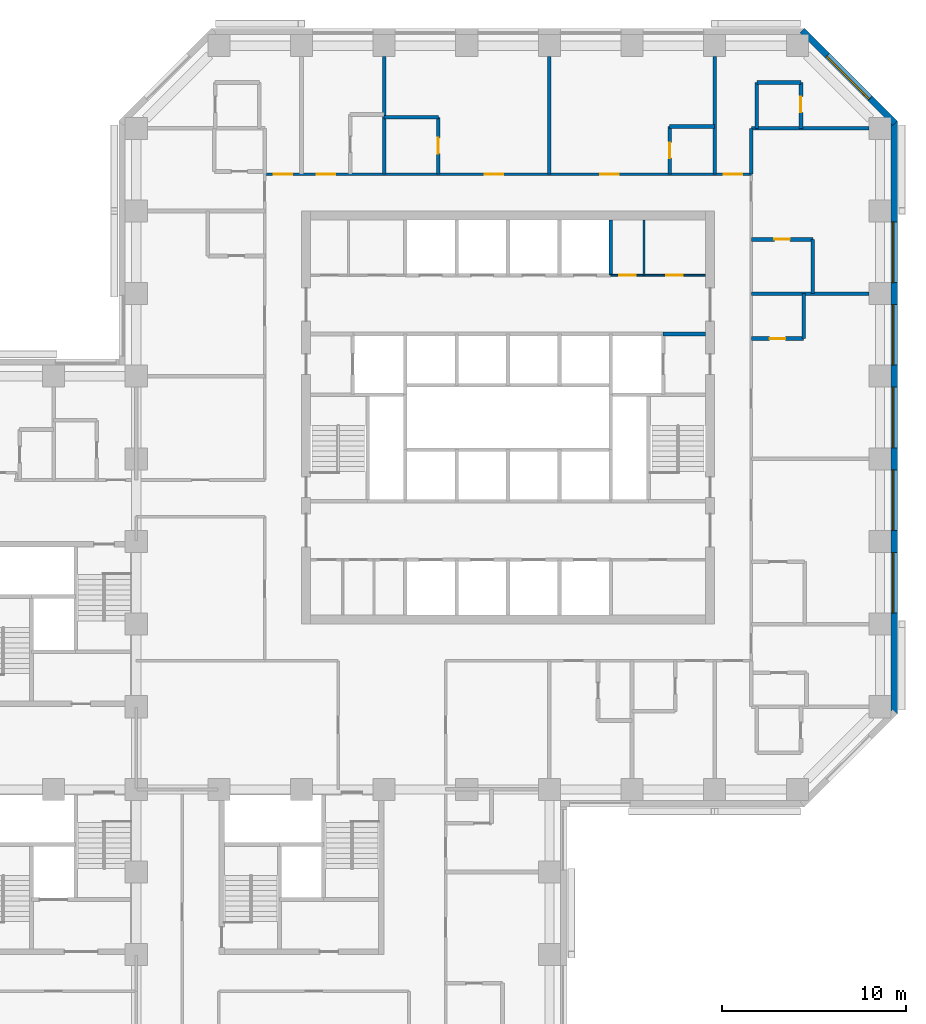
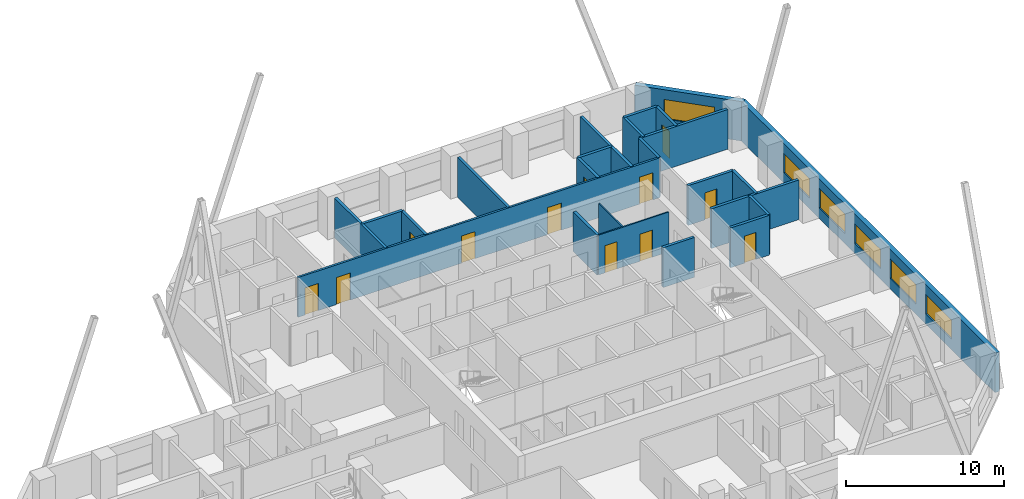
# One storey, part 10 of 13: 24 walls, 12 doors, 6 windows, 18 openings.
"""IFC4 building model written with IfcOpenShell, lengths in metres."""

from ifc_helpers import new_model, si_unit, direction, frame, frame_2d, origin, place, context, subcontext, project, spatial, rectangle, extrude, material, layer, layer_set, constituent, constituent_set, type_object, element, fill, save


model = new_model("IFC4")

# Units and contexts
model_context = context("Model", 3, precision=1e-05, world=origin(), true_north=direction((0.0, 1.0)))
body_context = subcontext(model_context, "Body", "Model", "MODEL_VIEW")
ifc_project = project(units=[si_unit("LENGTHUNIT", "METRE"), si_unit("AREAUNIT", "SQUARE_METRE"), si_unit("VOLUMEUNIT", "CUBIC_METRE"), si_unit("PLANEANGLEUNIT", "RADIAN"), si_unit("MASSUNIT", "GRAM", prefix="KILO")], contexts=[model_context])

# Site, building, storey
site_placement = place(None, origin())
site = spatial("IfcSite", under=ifc_project, at=site_placement, CompositionType="ELEMENT")
building_placement = place(site_placement, origin())
building = spatial("IfcBuilding", under=site, at=building_placement, Name="Quoin Convention Tower", CompositionType="ELEMENT")
storey_placement = place(building_placement, frame((0.0, 0.0, 39.60009765625)))
storey = spatial("IfcBuildingStorey", under=building, at=storey_placement, Name="L09", CompositionType="ELEMENT", Elevation=39.60009765625)

# Wall, openings, windows
ifc_material_1 = material(Name="Brick masonry", Category="masonry")
ifc_layer_1 = layer(ifc_material_1, 0.35009765625)
ifc_layer_set_1 = layer_set([ifc_layer_1], Name="Brick masonry")
wall_type_1 = type_object("IfcWallType", Name="Brick facade wall", PredefinedType="STANDARD", material=ifc_layer_set_1)
wall_1_placement = place(storey_placement, frame((77.27490234375, 44.6064453125, 0.0), z_axis=(0.0, 0.0, 1.0), x_axis=(0.0, 1.0, 0.0)))
wall_1 = element("IfcWall", 1, at=wall_1_placement, inside=storey, type_object=wall_type_1, Name="fw-L09-76500_45000", PredefinedType="STANDARD", context=body_context, shape_type="SweptSolid", body=[
    extrude(rectangle(XDim=32.287109375, YDim=0.35009765625, at=frame_2d((16.1435546875, 0.0))), origin(), (0.0, 0.0, 1.0), 3.054931640625),
])
opening_1_placement = place(wall_1_placement, frame((5.493408203125, 0.0, 0.800048828125)))
opening_1 = element("IfcOpeningElement", 2, at=opening_1_placement, cuts=wall_1, Name="Opening W-01", PredefinedType="OPENING", context=body_context, shape_type="SweptSolid", body=[
    extrude(rectangle(XDim=3.300048828125, YDim=1.5, at=frame_2d((1.64990234375, 0.75))), frame((0.0, 0.18505859375, 0.0), z_axis=(0.0, -1.0, 0.0), x_axis=(1.0, 0.0, 0.0)), (0.0, 0.0, 1.0), 0.3701171875),
])
opening_2_placement = place(wall_1_placement, frame((9.993408203125, 0.0, 0.800048828125)))
opening_2 = element("IfcOpeningElement", 3, at=opening_2_placement, cuts=wall_1, Name="Opening W-01", PredefinedType="OPENING", context=body_context, shape_type="SweptSolid", body=[
    extrude(rectangle(XDim=3.300048828125, YDim=1.5, at=frame_2d((1.64990234375, 0.75))), frame((0.0, 0.18505859375, 0.0), z_axis=(0.0, -1.0, 0.0), x_axis=(1.0, 0.0, 0.0)), (0.0, 0.0, 1.0), 0.3701171875),
])
opening_3_placement = place(wall_1_placement, frame((14.493408203125, 0.0, 0.800048828125)))
opening_3 = element("IfcOpeningElement", 4, at=opening_3_placement, cuts=wall_1, Name="Opening W-01", PredefinedType="OPENING", context=body_context, shape_type="SweptSolid", body=[
    extrude(rectangle(XDim=3.300048828125, YDim=1.5, at=frame_2d((1.64990234375, 0.75))), frame((0.0, 0.18505859375, 0.0), z_axis=(0.0, -1.0, 0.0), x_axis=(1.0, 0.0, 0.0)), (0.0, 0.0, 1.0), 0.3701171875),
])
opening_4_placement = place(wall_1_placement, frame((18.993408203125, 0.0, 0.800048828125)))
opening_4 = element("IfcOpeningElement", 5, at=opening_4_placement, cuts=wall_1, Name="Opening W-01", PredefinedType="OPENING", context=body_context, shape_type="SweptSolid", body=[
    extrude(rectangle(XDim=3.300048828125, YDim=1.5, at=frame_2d((1.64990234375, 0.75))), frame((0.0, 0.18505859375, 0.0), z_axis=(0.0, -1.0, 0.0), x_axis=(1.0, 0.0, 0.0)), (0.0, 0.0, 1.0), 0.3701171875),
])
opening_5_placement = place(wall_1_placement, frame((23.493408203125, 0.0, 0.800048828125)))
opening_5 = element("IfcOpeningElement", 6, at=opening_5_placement, cuts=wall_1, Name="Opening W-01", PredefinedType="OPENING", context=body_context, shape_type="SweptSolid", body=[
    extrude(rectangle(XDim=3.300048828125, YDim=1.5, at=frame_2d((1.64990234375, 0.75))), frame((0.0, 0.18505859375, 0.0), z_axis=(0.0, -1.0, 0.0), x_axis=(1.0, 0.0, 0.0)), (0.0, 0.0, 1.0), 0.3701171875),
])
ifc_material_2 = material(Name="Aluminium", Category="aluminium")
ifc_constituent_1 = constituent(ifc_material_2, Name="Frame")
ifc_material_3 = material(Name="Insulated glass", Category="glass")
ifc_constituent_2 = constituent(ifc_material_3, Name="Glazing")
ifc_constituent_set = constituent_set(constituents=[ifc_constituent_1, ifc_constituent_2], Name="Aluminium")
window_type = type_object("IfcWindowType", Name="Hotel strip window", PartitioningType="DOUBLE_PANEL_VERTICAL", PredefinedType="WINDOW", material=ifc_constituent_set)
window_1_placement = place(opening_1_placement, origin())
window_1 = element("IfcWindow", 7, at=window_1_placement, inside=storey, type_object=window_type, Name="win-L09-77275_51750", OverallHeight=1.5, OverallWidth=3.300048828125, PartitioningType="SINGLE_PANEL", PredefinedType="WINDOW", context=body_context, shape_type="SweptSolid", body=[
    extrude(rectangle(XDim=3.300048828125, YDim=1.5, at=frame_2d((1.64990234375, 0.75))), frame((0.0, 0.0849609375, 0.0), z_axis=(0.0, -1.0, 0.0), x_axis=(1.0, 0.0, 0.0)), (0.0, 0.0, 1.0), 0.06005859375),
])
fill(opening_1, window_1)
window_2_placement = place(opening_2_placement, origin())
window_2 = element("IfcWindow", 8, at=window_2_placement, inside=storey, type_object=window_type, Name="win-L09-77275_56250", OverallHeight=1.5, OverallWidth=3.300048828125, PartitioningType="SINGLE_PANEL", PredefinedType="WINDOW", context=body_context, shape_type="SweptSolid", body=[
    extrude(rectangle(XDim=3.300048828125, YDim=1.5, at=frame_2d((1.64990234375, 0.75))), frame((0.0, 0.0849609375, 0.0), z_axis=(0.0, -1.0, 0.0), x_axis=(1.0, 0.0, 0.0)), (0.0, 0.0, 1.0), 0.06005859375),
])
fill(opening_2, window_2)
window_3_placement = place(opening_3_placement, origin())
window_3 = element("IfcWindow", 9, at=window_3_placement, inside=storey, type_object=window_type, Name="win-L09-77275_60750", OverallHeight=1.5, OverallWidth=3.300048828125, PartitioningType="SINGLE_PANEL", PredefinedType="WINDOW", context=body_context, shape_type="SweptSolid", body=[
    extrude(rectangle(XDim=3.300048828125, YDim=1.5, at=frame_2d((1.64990234375, 0.75))), frame((0.0, 0.0849609375, 0.0), z_axis=(0.0, -1.0, 0.0), x_axis=(1.0, 0.0, 0.0)), (0.0, 0.0, 1.0), 0.06005859375),
])
fill(opening_3, window_3)
window_4_placement = place(opening_4_placement, origin())
window_4 = element("IfcWindow", 10, at=window_4_placement, inside=storey, type_object=window_type, Name="win-L09-77275_65250", OverallHeight=1.5, OverallWidth=3.300048828125, PartitioningType="SINGLE_PANEL", PredefinedType="WINDOW", context=body_context, shape_type="SweptSolid", body=[
    extrude(rectangle(XDim=3.300048828125, YDim=1.5, at=frame_2d((1.64990234375, 0.75))), frame((0.0, 0.0849609375, 0.0), z_axis=(0.0, -1.0, 0.0), x_axis=(1.0, 0.0, 0.0)), (0.0, 0.0, 1.0), 0.06005859375),
])
fill(opening_4, window_4)
window_5_placement = place(opening_5_placement, origin())
window_5 = element("IfcWindow", 11, at=window_5_placement, inside=storey, type_object=window_type, Name="win-L09-77275_69750", OverallHeight=1.5, OverallWidth=3.300048828125, PartitioningType="SINGLE_PANEL", PredefinedType="WINDOW", context=body_context, shape_type="SweptSolid", body=[
    extrude(rectangle(XDim=3.300048828125, YDim=1.5, at=frame_2d((1.64990234375, 0.75))), frame((0.0, 0.0849609375, 0.0), z_axis=(0.0, -1.0, 0.0), x_axis=(1.0, 0.0, 0.0)), (0.0, 0.0, 1.0), 0.06005859375),
])
fill(opening_5, window_5)

# Wall, opening, window
wall_2_placement = place(storey_placement, frame((77.326416015625, 76.769775390625, 0.0), z_axis=(0.0, 0.0, 1.0), x_axis=(-0.707106781187, 0.707106781187, 0.0)))
wall_2 = element("IfcWall", 12, at=wall_2_placement, inside=storey, type_object=wall_type_1, Name="fw-L09-76500_76500", PredefinedType="STANDARD", context=body_context, shape_type="SweptSolid", body=[
    extrude(rectangle(XDim=7.151123046875, YDim=0.35009765625, at=frame_2d((3.57568359375, 0.0))), origin(), (0.0, 0.0, 1.0), 3.054931640625),
])
opening_6_placement = place(wall_2_placement, frame((1.925537109375, 0.0, 0.800048828125)))
opening_6 = element("IfcOpeningElement", 13, at=opening_6_placement, cuts=wall_2, Name="Opening W-01", PredefinedType="OPENING", context=body_context, shape_type="SweptSolid", body=[
    extrude(rectangle(XDim=3.300048828125, YDim=1.5, at=frame_2d((1.64990234375, 0.75))), frame((0.0, 0.18505859375, 0.0), z_axis=(0.0, -1.0, 0.0), x_axis=(1.0, 0.0, 0.0)), (0.0, 0.0, 1.0), 0.3701171875),
])
window_6_placement = place(opening_6_placement, origin())
window_6 = element("IfcWindow", 14, at=window_6_placement, inside=storey, type_object=window_type, Name="win-L09-74798_79298", OverallHeight=1.5, OverallWidth=3.300048828125, PartitioningType="SINGLE_PANEL", PredefinedType="WINDOW", context=body_context, shape_type="SweptSolid", body=[
    extrude(rectangle(XDim=3.300048828125, YDim=1.5, at=frame_2d((1.64990234375, 0.75))), frame((0.0, 0.0849609375, 0.0), z_axis=(0.0, -1.0, 0.0), x_axis=(1.0, 0.0, 0.0)), (0.0, 0.0, 1.0), 0.06005859375),
])
fill(opening_6, window_6)

# Wall, openings, doors
ifc_material_4 = material(Name="Plasterboard")
ifc_layer_2 = layer(ifc_material_4, 0.012451171875, Name="Finish")
ifc_material_5 = material(Name="Steel stud framing", Category="steel")
ifc_layer_3 = layer(ifc_material_5, 0.074951171875, Name="Structure")
ifc_layer_4 = layer(ifc_material_4, 0.012451171875, Name="Finish")
ifc_layer_set_2 = layer_set([ifc_layer_2, ifc_layer_3, ifc_layer_4], Name="Steel stud framing")
wall_type_2 = type_object("IfcWallType", Name="Core partition wall", PredefinedType="PARTITIONING", material=ifc_layer_set_2)
wall_3_placement = place(storey_placement, frame((61.85009765625, 68.5, 0.0), z_axis=(0.0, 0.0, 1.0), x_axis=(1.0, 0.0, 0.0)))
wall_3 = element("IfcWall", 15, at=wall_3_placement, inside=storey, type_object=wall_type_2, Name="cr-C1-L09-h19000_16850", PredefinedType="PARTITIONING", context=body_context, shape_type="SweptSolid", body=[
    extrude(rectangle(XDim=5.14990234375, YDim=0.10009765625, at=frame_2d((2.574951171875, 0.0))), origin(), (0.0, 0.0, 1.0), 3.079833984375),
])
opening_7_placement = place(wall_3_placement, frame((3.0263671875, 0.0, 0.0)))
opening_7 = element("IfcOpeningElement", 16, at=opening_7_placement, cuts=wall_3, Name="Opening DCV3-03", PredefinedType="OPENING", context=body_context, shape_type="SweptSolid", body=[
    extrude(rectangle(XDim=0.89990234375, YDim=2.10009765625, at=frame_2d((0.449951171875, 1.050048828125))), frame((0.0, 0.06005859375, 0.0), z_axis=(0.0, -1.0, 0.0), x_axis=(1.0, 0.0, 0.0)), (0.0, 0.0, 1.0), 0.1201171875),
])
opening_8_placement = place(wall_3_placement, frame((0.451171875, 0.0, 0.0)))
opening_8 = element("IfcOpeningElement", 17, at=opening_8_placement, cuts=wall_3, Name="Opening DCV3-01", PredefinedType="OPENING", context=body_context, shape_type="SweptSolid", body=[
    extrude(rectangle(XDim=0.89990234375, YDim=2.10009765625, at=frame_2d((0.449951171875, 1.050048828125))), frame((0.0, 0.06005859375, 0.0), z_axis=(0.0, -1.0, 0.0), x_axis=(1.0, 0.0, 0.0)), (0.0, 0.0, 1.0), 0.1201171875),
])
ifc_material_6 = material(Name="Steel door leaf", Category="steel")
door_type_1 = type_object("IfcDoorType", Name="Core room door 900 x 2100", OperationType="SINGLE_SWING_LEFT", PredefinedType="DOOR", material=ifc_material_6)
door_1_placement = place(opening_7_placement, origin())
door_1 = element("IfcDoor", 18, at=door_1_placement, inside=storey, type_object=door_type_1, Name="cd-C1-L09-CNE0-lobB-CD0907", OperationType="SINGLE_SWING_RIGHT", OverallHeight=2.10009765625, OverallWidth=0.89990234375, PredefinedType="DOOR", context=body_context, shape_type="SweptSolid", body=[
    extrude(rectangle(XDim=0.89990234375, YDim=2.10009765625, at=frame_2d((0.449951171875, 1.050048828125))), frame((0.0, 0.02490234375, 0.0), z_axis=(0.0, -1.0, 0.0), x_axis=(1.0, 0.0, 0.0)), (0.0, 0.0, 1.0), 0.050048828125),
])
fill(opening_7, door_1)
door_2_placement = place(opening_8_placement, origin())
door_2 = element("IfcDoor", 19, at=door_2_placement, inside=storey, type_object=door_type_1, Name="cd-C1-L09-CNE1-lobB-CD0908", OperationType="SINGLE_SWING_LEFT", OverallHeight=2.10009765625, OverallWidth=0.89990234375, PredefinedType="DOOR", context=body_context, shape_type="SweptSolid", body=[
    extrude(rectangle(XDim=0.89990234375, YDim=2.10009765625, at=frame_2d((0.449951171875, 1.050048828125))), frame((0.0, 0.02490234375, 0.0), z_axis=(0.0, -1.0, 0.0), x_axis=(1.0, 0.0, 0.0)), (0.0, 0.0, 1.0), 0.050048828125),
])
fill(opening_8, door_2)

# Walls
wall_4_placement = place(storey_placement, frame((63.652587890625, 68.5, 0.0), z_axis=(0.0, 0.0, 1.0), x_axis=(0.0, 1.0, 0.0)))
element("IfcWall", 20, at=wall_4_placement, inside=storey, type_object=wall_type_2, Name="cr-C1-L09-v18652_19000", PredefinedType="PARTITIONING", context=body_context, shape_type="SweptSolid", body=[
    extrude(rectangle(XDim=3.0, YDim=0.10009765625, at=frame_2d((1.5, 0.0))), origin(), (0.0, 0.0, 1.0), 3.079833984375),
])
ifc_material_7 = material(Name="Concrete C50", Category="concrete")
ifc_layer_5 = layer(ifc_material_7, 0.199951171875)
ifc_layer_set_3 = layer_set([ifc_layer_5], Name="Concrete C50")
wall_type_3 = type_object("IfcWallType", Name="Core shaft wall", PredefinedType="SOLIDWALL", material=ifc_layer_set_3)
wall_5_placement = place(storey_placement, frame((64.699951171875, 65.300048828125, 0.0), z_axis=(0.0, 0.0, 1.0), x_axis=(1.0, 0.0, 0.0)))
element("IfcWall", 21, at=wall_5_placement, inside=storey, type_object=wall_type_3, Name="cr-C1-L09-h15800_19700", PredefinedType="SOLIDWALL", context=body_context, shape_type="SweptSolid", body=[
    extrude(rectangle(XDim=2.300048828125, YDim=0.199951171875, at=frame_2d((1.14990234375, 0.0))), origin(), (0.0, 0.0, 1.0), 3.079833984375),
])
wall_6_placement = place(storey_placement, frame((61.85009765625, 68.5, 0.0), z_axis=(0.0, 0.0, 1.0), x_axis=(0.0, 1.0, 0.0)))
element("IfcWall", 22, at=wall_6_placement, inside=storey, type_object=wall_type_3, Name="cr-C1-L09-v16850_19000", PredefinedType="SOLIDWALL", context=body_context, shape_type="SweptSolid", body=[
    extrude(rectangle(XDim=3.0, YDim=0.199951171875, at=frame_2d((1.5, 0.0))), origin(), (0.0, 0.0, 1.0), 3.079833984375),
])

# Wall, opening, door
ifc_layer_6 = layer(ifc_material_7, 0.199951171875)
ifc_layer_set_4 = layer_set([ifc_layer_6], Name="Concrete C50")
wall_type_4 = type_object("IfcWallType", Name="RC party wall", PredefinedType="SOLIDWALL", material=ifc_layer_set_4)
wall_7_placement = place(storey_placement, frame((69.5, 65.050048828125, 0.0), z_axis=(0.0, 0.0, 1.0), x_axis=(1.0, 0.0, 0.0)))
wall_7 = element("IfcWall", 23, at=wall_7_placement, inside=storey, type_object=wall_type_4, Name="pw-L09-109", PredefinedType="SOLIDWALL", context=body_context, shape_type="SweptSolid", body=[
    extrude(rectangle(XDim=2.85009765625, YDim=0.199951171875, at=frame_2d((1.425048828125, 0.0))), origin(), (0.0, 0.0, 1.0), 3.079833984375),
])
opening_9_placement = place(wall_7_placement, frame((1.0, 0.0, 0.0)))
opening_9 = element("IfcOpeningElement", 24, at=opening_9_placement, cuts=wall_7, Name="Opening DHOTEL-E-54", PredefinedType="OPENING", context=body_context, shape_type="SweptSolid", body=[
    extrude(rectangle(XDim=0.85009765625, YDim=2.10009765625, at=frame_2d((0.425048828125, 1.050048828125))), frame((0.0, 0.10986328125, 0.0), z_axis=(0.0, -1.0, 0.0), x_axis=(1.0, 0.0, 0.0)), (0.0, 0.0, 1.0), 0.219970703125),
])
door_type_2 = type_object("IfcDoorType", Name="Bathroom door", OperationType="SINGLE_SWING_LEFT", PredefinedType="DOOR", material=ifc_material_6)
door_3_placement = place(opening_9_placement, frame((0.85009765625, 0.0, 0.0), z_axis=(0.0, 0.0, 1.0), x_axis=(-1.0, 0.0, 0.0)))
door_3 = element("IfcDoor", 25, at=door_3_placement, inside=storey, type_object=door_type_2, Name="dr-L09-040", OperationType="SINGLE_SWING_RIGHT", OverallHeight=2.10009765625, OverallWidth=0.85009765625, PredefinedType="DOOR", context=body_context, shape_type="SweptSolid", body=[
    extrude(rectangle(XDim=0.85009765625, YDim=2.10009765625, at=frame_2d((0.425048828125, 1.050048828125))), frame((0.0, 0.02490234375, 0.0), z_axis=(0.0, -1.0, 0.0), x_axis=(1.0, 0.0, 0.0)), (0.0, 0.0, 1.0), 0.050048828125),
])
fill(opening_9, door_3)

# Walls
wall_8_placement = place(storey_placement, frame((72.35009765625, 65.050048828125, 0.0), z_axis=(0.0, 0.0, 1.0), x_axis=(0.0, 1.0, 0.0)))
element("IfcWall", 26, at=wall_8_placement, inside=storey, type_object=wall_type_4, Name="pw-L09-110", PredefinedType="SOLIDWALL", context=body_context, shape_type="SweptSolid", body=[
    extrude(rectangle(XDim=2.449951171875, YDim=0.199951171875, at=frame_2d((1.22509765625, 0.0))), origin(), (0.0, 0.0, 1.0), 3.079833984375),
])
wall_9_placement = place(storey_placement, frame((69.5, 67.5, 0.0), z_axis=(0.0, 0.0, 1.0), x_axis=(1.0, 0.0, 0.0)))
element("IfcWall", 27, at=wall_9_placement, inside=storey, type_object=wall_type_4, Name="pw-L09-111", PredefinedType="SOLIDWALL", context=body_context, shape_type="SweptSolid", body=[
    extrude(rectangle(XDim=6.39990234375, YDim=0.199951171875, at=frame_2d((3.199951171875, 0.0))), origin(), (0.0, 0.0, 1.0), 3.079833984375),
])
wall_10_placement = place(storey_placement, frame((72.85009765625, 67.5, 0.0), z_axis=(0.0, 0.0, 1.0), x_axis=(0.0, 1.0, 0.0)))
element("IfcWall", 28, at=wall_10_placement, inside=storey, type_object=wall_type_4, Name="pw-L09-112", PredefinedType="SOLIDWALL", context=body_context, shape_type="SweptSolid", body=[
    extrude(rectangle(XDim=2.949951171875, YDim=0.199951171875, at=frame_2d((1.47509765625, 0.0))), origin(), (0.0, 0.0, 1.0), 3.079833984375),
])

# Wall, opening, door
wall_11_placement = place(storey_placement, frame((69.5, 70.449951171875, 0.0), z_axis=(0.0, 0.0, 1.0), x_axis=(1.0, 0.0, 0.0)))
wall_11 = element("IfcWall", 29, at=wall_11_placement, inside=storey, type_object=wall_type_4, Name="pw-L09-115", PredefinedType="SOLIDWALL", context=body_context, shape_type="SweptSolid", body=[
    extrude(rectangle(XDim=3.35009765625, YDim=0.199951171875, at=frame_2d((1.675048828125, 0.0))), origin(), (0.0, 0.0, 1.0), 3.079833984375),
])
opening_10_placement = place(wall_11_placement, frame((1.25, 0.0, 0.0)))
opening_10 = element("IfcOpeningElement", 30, at=opening_10_placement, cuts=wall_11, Name="Opening DHOTEL-E-56", PredefinedType="OPENING", context=body_context, shape_type="SweptSolid", body=[
    extrude(rectangle(XDim=0.85009765625, YDim=2.10009765625, at=frame_2d((0.425048828125, 1.050048828125))), frame((0.0, 0.10986328125, 0.0), z_axis=(0.0, -1.0, 0.0), x_axis=(1.0, 0.0, 0.0)), (0.0, 0.0, 1.0), 0.219970703125),
])
door_4_placement = place(opening_10_placement, origin())
door_4 = element("IfcDoor", 31, at=door_4_placement, inside=storey, type_object=door_type_2, Name="dr-L09-038", OperationType="SINGLE_SWING_LEFT", OverallHeight=2.10009765625, OverallWidth=0.85009765625, PredefinedType="DOOR", context=body_context, shape_type="SweptSolid", body=[
    extrude(rectangle(XDim=0.85009765625, YDim=2.10009765625, at=frame_2d((0.425048828125, 1.050048828125))), frame((0.0, 0.02490234375, 0.0), z_axis=(0.0, -1.0, 0.0), x_axis=(1.0, 0.0, 0.0)), (0.0, 0.0, 1.0), 0.050048828125),
])
fill(opening_10, door_4)

# Wall
wall_12_placement = place(storey_placement, frame((49.5, 74.0, 0.0), z_axis=(0.0, 0.0, 1.0), x_axis=(0.0, 1.0, 0.0)))
element("IfcWall", 32, at=wall_12_placement, inside=storey, type_object=wall_type_4, Name="pw-L09-120", PredefinedType="SOLIDWALL", context=body_context, shape_type="SweptSolid", body=[
    extrude(rectangle(XDim=6.39990234375, YDim=0.199951171875, at=frame_2d((3.199951171875, 0.0))), origin(), (0.0, 0.0, 1.0), 3.079833984375),
])

# Wall, opening, door
wall_13_placement = place(storey_placement, frame((52.449951171875, 74.0, 0.0), z_axis=(0.0, 0.0, 1.0), x_axis=(0.0, 1.0, 0.0)))
wall_13 = element("IfcWall", 33, at=wall_13_placement, inside=storey, type_object=wall_type_4, Name="pw-L09-121", PredefinedType="SOLIDWALL", context=body_context, shape_type="SweptSolid", body=[
    extrude(rectangle(XDim=3.10009765625, YDim=0.199951171875, at=frame_2d((1.550048828125, 0.0))), origin(), (0.0, 0.0, 1.0), 3.079833984375),
])
opening_11_placement = place(wall_13_placement, frame((1.125, 0.0, 0.0)))
opening_11 = element("IfcOpeningElement", 34, at=opening_11_placement, cuts=wall_13, Name="Opening DHOTEL-E-58", PredefinedType="OPENING", context=body_context, shape_type="SweptSolid", body=[
    extrude(rectangle(XDim=0.85009765625, YDim=2.10009765625, at=frame_2d((0.425048828125, 1.050048828125))), frame((0.0, 0.10986328125, 0.0), z_axis=(0.0, -1.0, 0.0), x_axis=(1.0, 0.0, 0.0)), (0.0, 0.0, 1.0), 0.219970703125),
])
door_5_placement = place(opening_11_placement, frame((0.85009765625, 0.0, 0.0), z_axis=(0.0, 0.0, 1.0), x_axis=(-1.0, 0.0, 0.0)))
door_5 = element("IfcDoor", 35, at=door_5_placement, inside=storey, type_object=door_type_2, Name="dr-L09-034", OperationType="SINGLE_SWING_RIGHT", OverallHeight=2.10009765625, OverallWidth=0.85009765625, PredefinedType="DOOR", context=body_context, shape_type="SweptSolid", body=[
    extrude(rectangle(XDim=0.85009765625, YDim=2.10009765625, at=frame_2d((0.425048828125, 1.050048828125))), frame((0.0, 0.02490234375, 0.0), z_axis=(0.0, -1.0, 0.0), x_axis=(1.0, 0.0, 0.0)), (0.0, 0.0, 1.0), 0.050048828125),
])
fill(opening_11, door_5)

# Wall
wall_14_placement = place(storey_placement, frame((58.5, 74.0, 0.0), z_axis=(0.0, 0.0, 1.0), x_axis=(0.0, 1.0, 0.0)))
element("IfcWall", 36, at=wall_14_placement, inside=storey, type_object=wall_type_4, Name="pw-L09-122", PredefinedType="SOLIDWALL", context=body_context, shape_type="SweptSolid", body=[
    extrude(rectangle(XDim=6.39990234375, YDim=0.199951171875, at=frame_2d((3.199951171875, 0.0))), origin(), (0.0, 0.0, 1.0), 3.079833984375),
])

# Wall, opening, door
wall_15_placement = place(storey_placement, frame((65.050048828125, 74.0, 0.0), z_axis=(0.0, 0.0, 1.0), x_axis=(0.0, 1.0, 0.0)))
wall_15 = element("IfcWall", 37, at=wall_15_placement, inside=storey, type_object=wall_type_4, Name="pw-L09-123", PredefinedType="SOLIDWALL", context=body_context, shape_type="SweptSolid", body=[
    extrude(rectangle(XDim=2.60009765625, YDim=0.199951171875, at=frame_2d((1.300048828125, 0.0))), origin(), (0.0, 0.0, 1.0), 3.079833984375),
])
opening_12_placement = place(wall_15_placement, frame((0.875, 0.0, 0.0)))
opening_12 = element("IfcOpeningElement", 38, at=opening_12_placement, cuts=wall_15, Name="Opening DHOTEL-E-59", PredefinedType="OPENING", context=body_context, shape_type="SweptSolid", body=[
    extrude(rectangle(XDim=0.85009765625, YDim=2.10009765625, at=frame_2d((0.425048828125, 1.050048828125))), frame((0.0, 0.10986328125, 0.0), z_axis=(0.0, -1.0, 0.0), x_axis=(1.0, 0.0, 0.0)), (0.0, 0.0, 1.0), 0.219970703125),
])
door_6_placement = place(opening_12_placement, origin())
door_6 = element("IfcDoor", 39, at=door_6_placement, inside=storey, type_object=door_type_2, Name="dr-L09-036", OperationType="SINGLE_SWING_LEFT", OverallHeight=2.10009765625, OverallWidth=0.85009765625, PredefinedType="DOOR", context=body_context, shape_type="SweptSolid", body=[
    extrude(rectangle(XDim=0.85009765625, YDim=2.10009765625, at=frame_2d((0.425048828125, 1.050048828125))), frame((0.0, 0.02490234375, 0.0), z_axis=(0.0, -1.0, 0.0), x_axis=(1.0, 0.0, 0.0)), (0.0, 0.0, 1.0), 0.050048828125),
])
fill(opening_12, door_6)

# Walls
wall_16_placement = place(storey_placement, frame((67.5, 74.0, 0.0), z_axis=(0.0, 0.0, 1.0), x_axis=(0.0, 1.0, 0.0)))
element("IfcWall", 40, at=wall_16_placement, inside=storey, type_object=wall_type_4, Name="pw-L09-124", PredefinedType="SOLIDWALL", context=body_context, shape_type="SweptSolid", body=[
    extrude(rectangle(XDim=6.39990234375, YDim=0.199951171875, at=frame_2d((3.199951171875, 0.0))), origin(), (0.0, 0.0, 1.0), 3.079833984375),
])
wall_17_placement = place(storey_placement, frame((69.5, 74.0, 0.0), z_axis=(0.0, 0.0, 1.0), x_axis=(0.0, 1.0, 0.0)))
element("IfcWall", 41, at=wall_17_placement, inside=storey, type_object=wall_type_4, Name="pw-L09-125", PredefinedType="SOLIDWALL", context=body_context, shape_type="SweptSolid", body=[
    extrude(rectangle(XDim=2.5, YDim=0.199951171875, at=frame_2d((1.25, 0.0))), origin(), (0.0, 0.0, 1.0), 3.079833984375),
])
wall_18_placement = place(storey_placement, frame((69.5, 76.5, 0.0), z_axis=(0.0, 0.0, 1.0), x_axis=(1.0, 0.0, 0.0)))
element("IfcWall", 42, at=wall_18_placement, inside=storey, type_object=wall_type_4, Name="pw-L09-131", PredefinedType="SOLIDWALL", context=body_context, shape_type="SweptSolid", body=[
    extrude(rectangle(XDim=6.39990234375, YDim=0.199951171875, at=frame_2d((3.199951171875, 0.0))), origin(), (0.0, 0.0, 1.0), 3.079833984375),
])
wall_19_placement = place(storey_placement, frame((69.800048828125, 76.5, 0.0), z_axis=(0.0, 0.0, 1.0), x_axis=(0.0, 1.0, 0.0)))
element("IfcWall", 43, at=wall_19_placement, inside=storey, type_object=wall_type_4, Name="pw-L09-132", PredefinedType="SOLIDWALL", context=body_context, shape_type="SweptSolid", body=[
    extrude(rectangle(XDim=2.5, YDim=0.199951171875, at=frame_2d((1.25, 0.0))), origin(), (0.0, 0.0, 1.0), 3.079833984375),
])

# Wall, opening, door
wall_20_placement = place(storey_placement, frame((72.199951171875, 76.5, 0.0), z_axis=(0.0, 0.0, 1.0), x_axis=(0.0, 1.0, 0.0)))
wall_20 = element("IfcWall", 44, at=wall_20_placement, inside=storey, type_object=wall_type_4, Name="pw-L09-133", PredefinedType="SOLIDWALL", context=body_context, shape_type="SweptSolid", body=[
    extrude(rectangle(XDim=2.5, YDim=0.199951171875, at=frame_2d((1.25, 0.0))), origin(), (0.0, 0.0, 1.0), 3.079833984375),
])
opening_13_placement = place(wall_20_placement, frame((0.875, 0.0, 0.0)))
opening_13 = element("IfcOpeningElement", 45, at=opening_13_placement, cuts=wall_20, Name="Opening DHOTEL-E-62", PredefinedType="OPENING", context=body_context, shape_type="SweptSolid", body=[
    extrude(rectangle(XDim=0.85009765625, YDim=2.10009765625, at=frame_2d((0.425048828125, 1.050048828125))), frame((0.0, 0.10986328125, 0.0), z_axis=(0.0, -1.0, 0.0), x_axis=(1.0, 0.0, 0.0)), (0.0, 0.0, 1.0), 0.219970703125),
])
door_7_placement = place(opening_13_placement, frame((0.85009765625, 0.0, 0.0), z_axis=(0.0, 0.0, 1.0), x_axis=(-1.0, 0.0, 0.0)))
door_7 = element("IfcDoor", 46, at=door_7_placement, inside=storey, type_object=door_type_2, Name="dr-L09-058", OperationType="SINGLE_SWING_LEFT", OverallHeight=2.10009765625, OverallWidth=0.85009765625, PredefinedType="DOOR", context=body_context, shape_type="SweptSolid", body=[
    extrude(rectangle(XDim=0.85009765625, YDim=2.10009765625, at=frame_2d((0.425048828125, 1.050048828125))), frame((0.0, 0.02490234375, 0.0), z_axis=(0.0, -1.0, 0.0), x_axis=(1.0, 0.0, 0.0)), (0.0, 0.0, 1.0), 0.050048828125),
])
fill(opening_13, door_7)

# Walls
wall_21_placement = place(storey_placement, frame((65.050048828125, 76.60009765625, 0.0), z_axis=(0.0, 0.0, 1.0), x_axis=(1.0, 0.0, 0.0)))
element("IfcWall", 47, at=wall_21_placement, inside=storey, type_object=wall_type_4, Name="pw-L09-134", PredefinedType="SOLIDWALL", context=body_context, shape_type="SweptSolid", body=[
    extrude(rectangle(XDim=2.449951171875, YDim=0.199951171875, at=frame_2d((1.22509765625, 0.0))), origin(), (0.0, 0.0, 1.0), 3.079833984375),
])
wall_22_placement = place(storey_placement, frame((49.5, 77.10009765625, 0.0), z_axis=(0.0, 0.0, 1.0), x_axis=(1.0, 0.0, 0.0)))
element("IfcWall", 48, at=wall_22_placement, inside=storey, type_object=wall_type_4, Name="pw-L09-135", PredefinedType="SOLIDWALL", context=body_context, shape_type="SweptSolid", body=[
    extrude(rectangle(XDim=2.949951171875, YDim=0.199951171875, at=frame_2d((1.47509765625, 0.0))), origin(), (0.0, 0.0, 1.0), 3.079833984375),
])
wall_23_placement = place(storey_placement, frame((69.800048828125, 79.0, 0.0), z_axis=(0.0, 0.0, 1.0), x_axis=(1.0, 0.0, 0.0)))
element("IfcWall", 49, at=wall_23_placement, inside=storey, type_object=wall_type_4, Name="pw-L09-138", PredefinedType="SOLIDWALL", context=body_context, shape_type="SweptSolid", body=[
    extrude(rectangle(XDim=2.39990234375, YDim=0.199951171875, at=frame_2d((1.199951171875, 0.0))), origin(), (0.0, 0.0, 1.0), 3.079833984375),
])

# Wall, openings, doors
ifc_layer_7 = layer(ifc_material_4, 0.012451171875, Name="Finish")
ifc_layer_8 = layer(ifc_material_5, 0.125, Name="Structure")
ifc_layer_9 = layer(ifc_material_4, 0.012451171875, Name="Finish")
ifc_layer_set_5 = layer_set([ifc_layer_7, ifc_layer_8, ifc_layer_9], Name="Steel stud framing")
wall_type_5 = type_object("IfcWallType", Name="corridor partition", PredefinedType="PARTITIONING", material=ifc_layer_set_5)
wall_24_placement = place(storey_placement, frame((43.0, 74.0, 0.0), z_axis=(0.0, 0.0, 1.0), x_axis=(1.0, 0.0, 0.0)))
wall_24 = element("IfcWall", 50, at=wall_24_placement, inside=storey, type_object=wall_type_5, Name="pw-L09-038", PredefinedType="PARTITIONING", context=body_context, shape_type="SweptSolid", body=[
    extrude(rectangle(XDim=26.5, YDim=0.14990234375, at=frame_2d((13.25, 0.0))), origin(), (0.0, 0.0, 1.0), 3.079833984375),
])
opening_14_placement = place(wall_24_placement, frame((2.824951171875, 0.0, 0.0)))
opening_14 = element("IfcOpeningElement", 51, at=opening_14_placement, cuts=wall_24, Name="Opening DHOTEL-E-32", PredefinedType="OPENING", context=body_context, shape_type="SweptSolid", body=[
    extrude(rectangle(XDim=1.0, YDim=2.10009765625, at=frame_2d((0.5, 1.050048828125))), frame((0.0, 0.0849609375, 0.0), z_axis=(0.0, -1.0, 0.0), x_axis=(1.0, 0.0, 0.0)), (0.0, 0.0, 1.0), 0.169921875),
])
opening_15_placement = place(wall_24_placement, frame((11.97509765625, 0.0, 0.0)))
opening_15 = element("IfcOpeningElement", 52, at=opening_15_placement, cuts=wall_24, Name="Opening DHOTEL-E-33", PredefinedType="OPENING", context=body_context, shape_type="SweptSolid", body=[
    extrude(rectangle(XDim=1.0, YDim=2.10009765625, at=frame_2d((0.5, 1.050048828125))), frame((0.0, 0.0849609375, 0.0), z_axis=(0.0, -1.0, 0.0), x_axis=(1.0, 0.0, 0.0)), (0.0, 0.0, 1.0), 0.169921875),
])
opening_16_placement = place(wall_24_placement, frame((18.27490234375, 0.0, 0.0)))
opening_16 = element("IfcOpeningElement", 53, at=opening_16_placement, cuts=wall_24, Name="Opening DHOTEL-E-34", PredefinedType="OPENING", context=body_context, shape_type="SweptSolid", body=[
    extrude(rectangle(XDim=1.0, YDim=2.10009765625, at=frame_2d((0.5, 1.050048828125))), frame((0.0, 0.0849609375, 0.0), z_axis=(0.0, -1.0, 0.0), x_axis=(1.0, 0.0, 0.0)), (0.0, 0.0, 1.0), 0.169921875),
])
opening_17_placement = place(wall_24_placement, frame((0.5, 0.0, 0.0)))
opening_17 = element("IfcOpeningElement", 54, at=opening_17_placement, cuts=wall_24, Name="Opening DHOTEL-E-31", PredefinedType="OPENING", context=body_context, shape_type="SweptSolid", body=[
    extrude(rectangle(XDim=1.0, YDim=2.10009765625, at=frame_2d((0.5, 1.050048828125))), frame((0.0, 0.0849609375, 0.0), z_axis=(0.0, -1.0, 0.0), x_axis=(1.0, 0.0, 0.0)), (0.0, 0.0, 1.0), 0.169921875),
])
opening_18_placement = place(wall_24_placement, frame((25.0, 0.0, 0.0)))
opening_18 = element("IfcOpeningElement", 55, at=opening_18_placement, cuts=wall_24, Name="Opening DHOTEL-E-35", PredefinedType="OPENING", context=body_context, shape_type="SweptSolid", body=[
    extrude(rectangle(XDim=1.0, YDim=2.10009765625, at=frame_2d((0.5, 1.050048828125))), frame((0.0, 0.0849609375, 0.0), z_axis=(0.0, -1.0, 0.0), x_axis=(1.0, 0.0, 0.0)), (0.0, 0.0, 1.0), 0.169921875),
])
door_type_3 = type_object("IfcDoorType", Name="Hotel room door", OperationType="SINGLE_SWING_LEFT", PredefinedType="DOOR", material=ifc_material_6)
door_8_placement = place(opening_14_placement, origin())
door_8 = element("IfcDoor", 56, at=door_8_placement, inside=storey, type_object=door_type_3, Name="dr-L09-031", OperationType="SINGLE_SWING_RIGHT", OverallHeight=2.10009765625, OverallWidth=1.0, PredefinedType="DOOR", context=body_context, shape_type="SweptSolid", body=[
    extrude(rectangle(XDim=1.0, YDim=2.10009765625, at=frame_2d((0.5, 1.050048828125))), frame((0.0, 0.02490234375, 0.0), z_axis=(0.0, -1.0, 0.0), x_axis=(1.0, 0.0, 0.0)), (0.0, 0.0, 1.0), 0.050048828125),
])
fill(opening_14, door_8)
door_9_placement = place(opening_15_placement, origin())
door_9 = element("IfcDoor", 57, at=door_9_placement, inside=storey, type_object=door_type_3, Name="dr-L09-033", OperationType="SINGLE_SWING_RIGHT", OverallHeight=2.10009765625, OverallWidth=1.0, PredefinedType="DOOR", context=body_context, shape_type="SweptSolid", body=[
    extrude(rectangle(XDim=1.0, YDim=2.10009765625, at=frame_2d((0.5, 1.050048828125))), frame((0.0, 0.02490234375, 0.0), z_axis=(0.0, -1.0, 0.0), x_axis=(1.0, 0.0, 0.0)), (0.0, 0.0, 1.0), 0.050048828125),
])
fill(opening_15, door_9)
door_10_placement = place(opening_16_placement, origin())
door_10 = element("IfcDoor", 58, at=door_10_placement, inside=storey, type_object=door_type_3, Name="dr-L09-035", OperationType="SINGLE_SWING_RIGHT", OverallHeight=2.10009765625, OverallWidth=1.0, PredefinedType="DOOR", context=body_context, shape_type="SweptSolid", body=[
    extrude(rectangle(XDim=1.0, YDim=2.10009765625, at=frame_2d((0.5, 1.050048828125))), frame((0.0, 0.02490234375, 0.0), z_axis=(0.0, -1.0, 0.0), x_axis=(1.0, 0.0, 0.0)), (0.0, 0.0, 1.0), 0.050048828125),
])
fill(opening_16, door_10)
door_11_placement = place(opening_17_placement, origin())
door_11 = element("IfcDoor", 59, at=door_11_placement, inside=storey, type_object=door_type_3, Name="dr-L09-055", OperationType="SINGLE_SWING_RIGHT", OverallHeight=2.10009765625, OverallWidth=1.0, PredefinedType="DOOR", context=body_context, shape_type="SweptSolid", body=[
    extrude(rectangle(XDim=1.0, YDim=2.10009765625, at=frame_2d((0.5, 1.050048828125))), frame((0.0, 0.02490234375, 0.0), z_axis=(0.0, -1.0, 0.0), x_axis=(1.0, 0.0, 0.0)), (0.0, 0.0, 1.0), 0.050048828125),
])
fill(opening_17, door_11)
door_12_placement = place(opening_18_placement, origin())
door_12 = element("IfcDoor", 60, at=door_12_placement, inside=storey, type_object=door_type_3, Name="dr-L09-057", OperationType="SINGLE_SWING_RIGHT", OverallHeight=2.10009765625, OverallWidth=1.0, PredefinedType="DOOR", context=body_context, shape_type="SweptSolid", body=[
    extrude(rectangle(XDim=1.0, YDim=2.10009765625, at=frame_2d((0.5, 1.050048828125))), frame((0.0, 0.02490234375, 0.0), z_axis=(0.0, -1.0, 0.0), x_axis=(1.0, 0.0, 0.0)), (0.0, 0.0, 1.0), 0.050048828125),
])
fill(opening_18, door_12)

save(model, "model.ifc")
